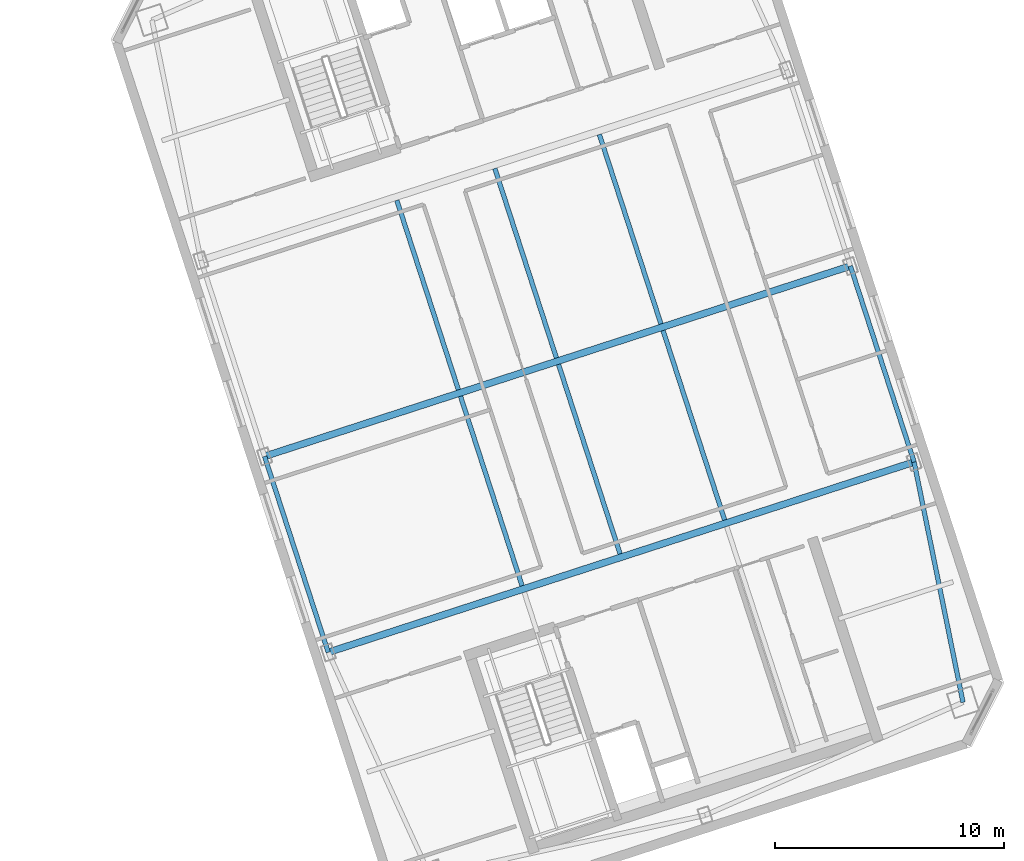
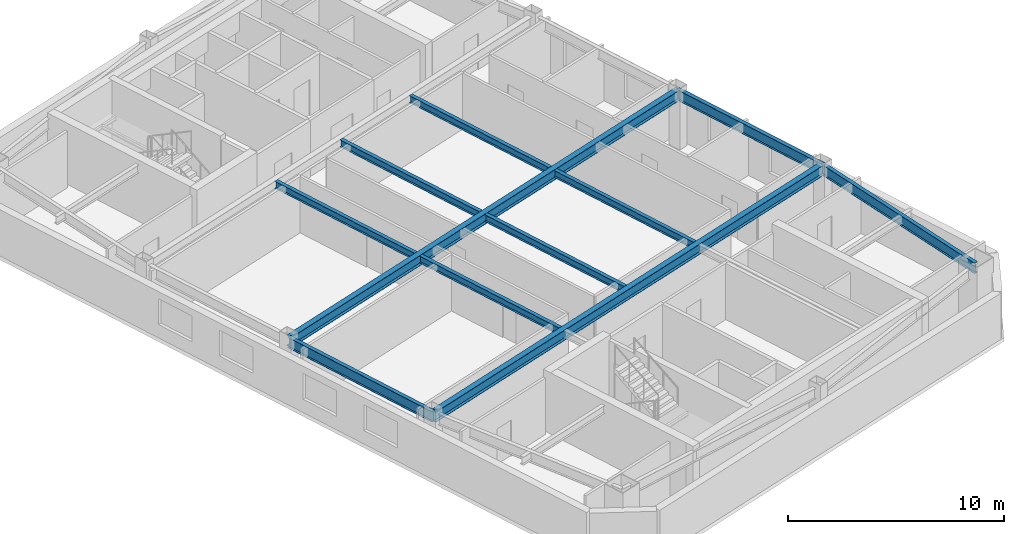
# One storey, part 13 of 25: 11 beams.
"""IFC4 building model written with IfcOpenShell, lengths in metres."""

from ifc_helpers import new_model, si_unit, direction, frame, origin, origin_2d, place, context, subcontext, project, spatial, i_section, extrude, material, material_profile, profile_set, type_object, element, save


model = new_model("IFC4")

# Units and contexts
model_context = context("Model", 3, precision=1e-05, world=origin(), true_north=direction((0.0, 1.0)))
body_context = subcontext(model_context, "Body", "Model", "MODEL_VIEW")
ifc_project = project(units=[si_unit("LENGTHUNIT", "METRE"), si_unit("AREAUNIT", "SQUARE_METRE"), si_unit("VOLUMEUNIT", "CUBIC_METRE"), si_unit("PLANEANGLEUNIT", "RADIAN"), si_unit("MASSUNIT", "GRAM", prefix="KILO")], contexts=[model_context])

# Site, building, storey
site_placement = place(None, origin())
site = spatial("IfcSite", under=ifc_project, at=site_placement, CompositionType="ELEMENT")
building_placement = place(site_placement, origin())
building = spatial("IfcBuilding", under=site, at=building_placement, Name="Qiaolan Cultural Towers", CompositionType="ELEMENT")
storey_placement = place(building_placement, frame((0.0, 0.0, 202.39990234375)))
storey = spatial("IfcBuildingStorey", under=building, at=storey_placement, Name="L54", CompositionType="ELEMENT", Elevation=202.39990234375)

# Beams
ifc_material_1 = material(Name="Steel Q355B", Category="steel")
ifc_material_profile_1 = material_profile(ifc_material_1, i_section(OverallWidth=0.300048828125, OverallDepth=0.587890625, WebThickness=0.011962890625, FlangeThickness=0.02001953125, at=origin_2d()), Name="HM588x300x12x20")
ifc_profile_set_1 = profile_set([ifc_material_profile_1], Name="Steel Q355B")
beam_type_1 = type_object("IfcBeamType", Name="BM-HM588x300x12x20", PredefinedType="BEAM", material=ifc_profile_set_1)
beam_1_placement = place(storey_placement, frame((79.989501953125, 21.2841796875, 2.89599609375), z_axis=(0.951056543098, 0.309016911884, 0.0), x_axis=(-0.309016911884, 0.951056543098, 0.0)))
element("IfcBeam", 1, at=beam_1_placement, inside=storey, type_object=beam_type_1, Name="L54 T2 Primary Transverse Girder V1", PredefinedType="BEAM", context=body_context, shape_type="SweptSolid", body=[
    extrude(i_section(OverallWidth=0.300048828125, OverallDepth=0.587890625, WebThickness=0.011962890625, FlangeThickness=0.02001953125, at=origin_2d()), origin(), (0.0, 0.0, 1.0), 26.89990234375),
])
beam_2_placement = place(storey_placement, frame((77.208251953125, 29.84375, 2.89599609375), z_axis=(0.95105740976, 0.309014244561, 0.0), x_axis=(-0.309014244561, 0.95105740976, 0.0)))
element("IfcBeam", 2, at=beam_2_placement, inside=storey, type_object=beam_type_1, Name="L54 T2 Primary Transverse Girder V2", PredefinedType="BEAM", context=body_context, shape_type="SweptSolid", body=[
    extrude(i_section(OverallWidth=0.300048828125, OverallDepth=0.587890625, WebThickness=0.011962890625, FlangeThickness=0.02001953125, at=origin_2d()), origin(), (0.0, 0.0, 1.0), 26.900146484375),
])
ifc_material_2 = material(Name="Steel Q355B", Category="steel")
ifc_material_profile_2 = material_profile(ifc_material_2, i_section(OverallWidth=0.199951171875, OverallDepth=0.39990234375, WebThickness=0.008056640625, FlangeThickness=0.012939453125, at=origin_2d()), Name="HN400x200x8x13")
ifc_profile_set_2 = profile_set([ifc_material_profile_2], Name="Steel Q355B")
beam_type_2 = type_object("IfcBeamType", Name="BM-JST-HN400x200x8x13", PredefinedType="JOIST", material=ifc_profile_set_2)
for number, where, z_axis, x_axis, name in (
    (3, (88.455078125, 24.192626953125, 2.989990234375), (-0.309020714809, 0.951055307445, 0.0), (-0.951055307445, -0.309020714809, 0.0), "L54 T2 Secondary Floor Joist U1-2"),
    (4, (85.673828125, 32.752197265625, 2.989990234375), (-0.309020714809, 0.951055307445, 0.0), (-0.951055307445, -0.309020714809, 0.0), "L54 T2 Secondary Floor Joist U1-3"),
    (5, (92.73486328125, 25.583251953125, 2.989990234375), (-0.309020714809, 0.951055307445, 0.0), (-0.951055307445, -0.309020714809, 0.0), "L54 T2 Secondary Floor Joist U2-2"),
    (6, (89.95361328125, 34.142578125, 2.989990234375), (-0.309020714809, 0.951055307445, 0.0), (-0.951055307445, -0.309020714809, 0.0), "L54 T2 Secondary Floor Joist U2-3"),
    (7, (97.2998046875, 27.06640625, 2.989990234375), (-0.309020714809, 0.951055307445, 0.0), (-0.951055307445, -0.309020714809, 0.0), "L54 T2 Secondary Floor Joist U3-2"),
    (8, (94.518798828125, 35.6259765625, 2.989990234375), (-0.309020714809, 0.951055307445, 0.0), (-0.951055307445, -0.309020714809, 0.0), "L54 T2 Secondary Floor Joist U3-3"),
):
    element("IfcBeam", number, at=place(storey_placement, frame(where, z_axis=z_axis, x_axis=x_axis)), inside=storey, type_object=beam_type_2, Name=name, PredefinedType="JOIST", context=body_context, shape_type="SweptSolid", body=[
        extrude(i_section(OverallWidth=0.199951171875, OverallDepth=0.39990234375, WebThickness=0.008056640625, FlangeThickness=0.012939453125, at=origin_2d()), origin(), (0.0, 0.0, 1.0), 8.699951171875),
    ])
ifc_material_3 = material(Name="Steel Q355B", Category="steel")
ifc_material_profile_3 = material_profile(ifc_material_3, i_section(OverallWidth=0.199951171875, OverallDepth=0.60009765625, WebThickness=0.010986328125, FlangeThickness=0.01708984375, at=origin_2d()), Name="HN600x200x11x17")
ifc_profile_set_3 = profile_set([ifc_material_profile_3], Name="Steel Q355B")
beam_type_3 = type_object("IfcBeamType", Name="BM-SPD-HN600x200x11x17", PredefinedType="SPANDREL", material=ifc_profile_set_3)
beam_3_placement = place(storey_placement, frame((107.7099609375, 19.103515625, 2.89013671875), z_axis=(-0.199578538116, 0.979881833245, 0.0), x_axis=(-0.979881833245, -0.199578538116, 0.0)))
element("IfcBeam", 9, at=beam_3_placement, inside=storey, type_object=beam_type_3, Name="L54 T2 Perimeter Spandrel Beam 3", PredefinedType="SPANDREL", context=body_context, shape_type="SweptSolid", body=[
    extrude(i_section(OverallWidth=0.199951171875, OverallDepth=0.60009765625, WebThickness=0.010986328125, FlangeThickness=0.01708984375, at=origin_2d()), origin(), (0.0, 0.0, 1.0), 10.70849609375),
])
for number, where, z_axis, x_axis, name in (
    (10, (105.57275390625, 29.5966796875, 2.89013671875), (-0.309000197986, 0.951061973609, 0.0), (-0.951061973609, -0.309000197986, 0.0), "L54 T2 Perimeter Spandrel Beam 4"),
    (11, (77.208251953125, 29.84375, 2.89013671875), (0.309024734286, -0.951054001411, 0.0), (0.951054001411, 0.309024734286, 0.0), "L54 T2 Perimeter Spandrel Beam 11"),
):
    element("IfcBeam", number, at=place(storey_placement, frame(where, z_axis=z_axis, x_axis=x_axis)), inside=storey, type_object=beam_type_3, Name=name, PredefinedType="SPANDREL", context=body_context, shape_type="SweptSolid", body=[
        extrude(i_section(OverallWidth=0.199951171875, OverallDepth=0.60009765625, WebThickness=0.010986328125, FlangeThickness=0.01708984375, at=origin_2d()), origin(), (0.0, 0.0, 1.0), 9.0),
    ])

save(model, "model.ifc")
